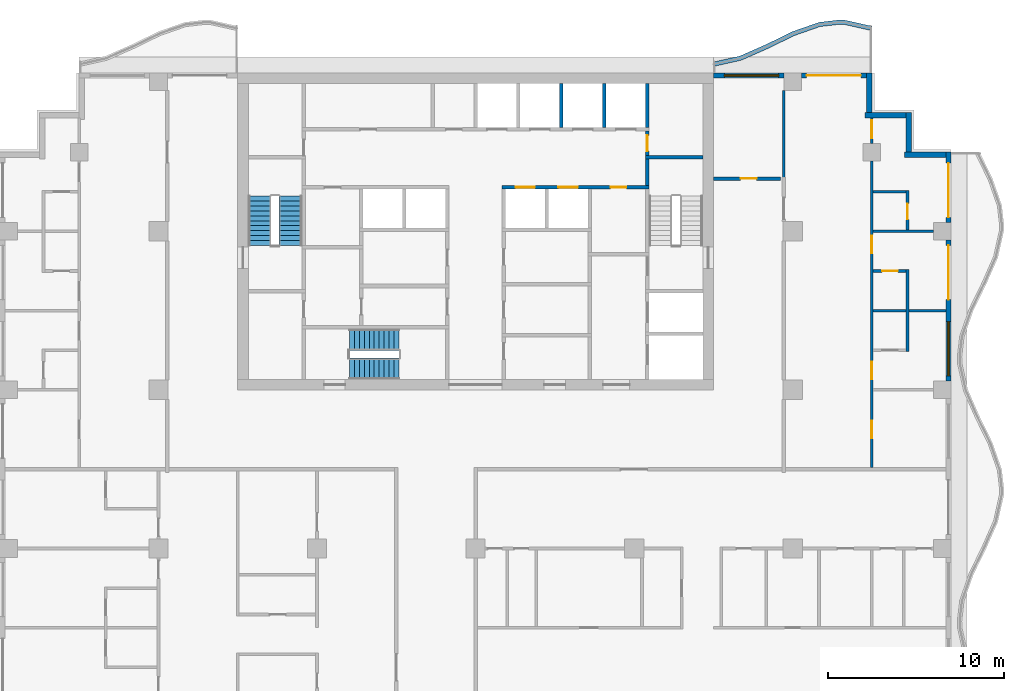
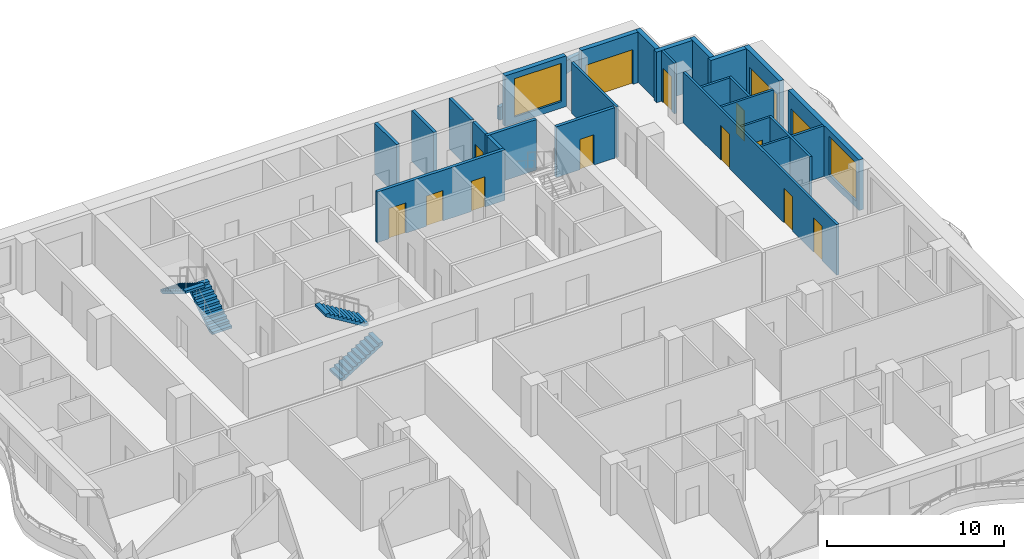
# One storey, part 7 of 12: 27 walls, 14 doors, 4 stair flights, 2 windows, 16 openings, 2 elements without a shape of their own.
"""IFC4 building model written with IfcOpenShell, lengths in metres."""

from ifc_helpers import new_model, si_unit, direction, frame, frame_2d, origin, place, context, subcontext, project, spatial, polyline, rectangle, outline, extrude, material, layer, layer_set, type_object, element, fill, aggregate, save


model = new_model("IFC4")

# Units and contexts
model_context = context("Model", 3, precision=1e-05, world=origin(), true_north=direction((0.0, 1.0)))
body_context = subcontext(model_context, "Body", "Model", "MODEL_VIEW")
ifc_project = project(units=[si_unit("LENGTHUNIT", "METRE"), si_unit("AREAUNIT", "SQUARE_METRE"), si_unit("VOLUMEUNIT", "CUBIC_METRE"), si_unit("PLANEANGLEUNIT", "RADIAN"), si_unit("MASSUNIT", "GRAM", prefix="KILO")], contexts=[model_context])

# Site, building, storey
site_placement = place(None, origin())
site = spatial("IfcSite", under=ifc_project, at=site_placement, CompositionType="ELEMENT")
building_placement = place(site_placement, origin())
building = spatial("IfcBuilding", under=site, at=building_placement, Name="Orbiselva Terraces", CompositionType="ELEMENT")
storey_placement = place(building_placement, frame((0.0, 0.0, 214.8)))
storey = spatial("IfcBuildingStorey", under=building, at=storey_placement, Name="L54", CompositionType="ELEMENT", Elevation=214.8)

# Wall, opening, door
ifc_material_1 = material(Name="Masonry blockwork", Category="masonry")
ifc_layer_1 = layer(ifc_material_1, 0.2)
ifc_layer_set_1 = layer_set([ifc_layer_1], Name="Masonry blockwork")
wall_type_1 = type_object("IfcWallType", Name="CORE-WALL-PARTITION-200", PredefinedType="PARTITIONING", material=ifc_layer_set_1)
wall_1_placement = place(storey_placement, frame((9.75, 19.2, 0.0), z_axis=(0.0, 0.0, 1.0), x_axis=(0.0, -1.0, 0.0)))
wall_1 = element("IfcWall", 1, at=wall_1_placement, inside=storey, type_object=wall_type_1, Name="L54 core wall 53", PredefinedType="PARTITIONING", context=body_context, shape_type="SweptSolid", body=[
    extrude(rectangle(XDim=1.4, YDim=0.2, at=frame_2d((0.7, 0.0))), origin(), (0.0, 0.0, 1.0), 3.5),
])
opening_1_placement = place(wall_1_placement, frame((0.25, 0.0, 0.0)))
opening_1 = element("IfcOpeningElement", 2, at=opening_1_placement, cuts=wall_1, Name="Opening DR900", PredefinedType="OPENING", context=body_context, shape_type="SweptSolid", body=[
    extrude(rectangle(XDim=0.9, YDim=2.1, at=frame_2d((0.45, 1.05))), frame((0.0, 0.11, 0.0), z_axis=(0.0, -1.0, 0.0), x_axis=(1.0, 0.0, 0.0)), (0.0, 0.0, 1.0), 0.22),
])
ifc_material_2 = material(Name="Steel fire door", Category="steel")
door_type_1 = type_object("IfcDoorType", Name="ROOM DOOR 900", OperationType="NOTDEFINED", PredefinedType="DOOR", material=ifc_material_2)
door_1_placement = place(opening_1_placement, origin())
door_1 = element("IfcDoor", 3, at=door_1_placement, inside=storey, type_object=door_type_1, Name="L54 ELECTRICAL RISER ROOM door", OperationType="SINGLE_SWING_RIGHT", OverallHeight=2.1, OverallWidth=0.9, PredefinedType="DOOR", context=body_context, shape_type="SweptSolid", body=[
    extrude(rectangle(XDim=0.9, YDim=2.1, at=frame_2d((0.45, 1.05))), frame((0.0, 0.025, 0.0), z_axis=(0.0, -1.0, 0.0), x_axis=(1.0, 0.0, 0.0)), (0.0, 0.0, 1.0), 0.05),
])
fill(opening_1, door_1)

# Walls
ifc_material_3 = material(Name="Concrete C40/50", Category="concrete")
ifc_layer_2 = layer(ifc_material_3, 0.2)
ifc_layer_set_2 = layer_set([ifc_layer_2], Name="Concrete C40/50")
wall_type_2 = type_object("IfcWallType", Name="CORE-WALL-SHAFT-200", PredefinedType="PARTITIONING", material=ifc_layer_set_2)
for number, where, z_axis, x_axis, name in (
    (4, (4.875, 19.4, 0.0), (0.0, 0.0, 1.0), (0.0, 1.0, 0.0), "L54 core wall 37"),
    (5, (7.3125, 19.4, 0.0), (0.0, 0.0, 1.0), (0.0, 1.0, 0.0), "L54 core wall 44"),
    (6, (9.75, 19.4, 0.0), (0.0, 0.0, 1.0), (0.0, 1.0, 0.0), "L54 core wall 54"),
):
    element("IfcWall", number, at=place(storey_placement, frame(where, z_axis=z_axis, x_axis=x_axis)), inside=storey, type_object=wall_type_2, Name=name, PredefinedType="PARTITIONING", context=body_context, shape_type="SweptSolid", body=[
        extrude(rectangle(XDim=2.5, YDim=0.2, at=frame_2d((1.25, 0.0))), origin(), (0.0, 0.0, 1.0), 3.5),
    ])

# Wall, openings, doors
ifc_material_4 = material(Name="Concrete C60/75", Category="concrete")
ifc_layer_3 = layer(ifc_material_4, 0.2)
ifc_layer_set_3 = layer_set([ifc_layer_3], Name="Concrete C60/75")
wall_type_3 = type_object("IfcWallType", Name="CORE-WALL-SHEAR-200", PredefinedType="SHEAR", material=ifc_layer_set_3)
wall_2_placement = place(storey_placement, frame((9.85, 16.0, 0.0), z_axis=(0.0, 0.0, 1.0), x_axis=(-1.0, 0.0, 0.0)))
wall_2 = element("IfcWall", 7, at=wall_2_placement, inside=storey, type_object=wall_type_3, Name="L54 core wall 34", PredefinedType="SHEAR", context=body_context, shape_type="SweptSolid", body=[
    extrude(rectangle(XDim=8.35, YDim=0.2, at=frame_2d((4.175, 0.0))), origin(), (0.0, 0.0, 1.0), 3.5),
])
opening_2_placement = place(wall_2_placement, frame((6.48125, 0.0, 0.0)))
opening_2 = element("IfcOpeningElement", 8, at=opening_2_placement, cuts=wall_2, Name="Opening LD-HR5", PredefinedType="OPENING", context=body_context, shape_type="SweptSolid", body=[
    extrude(rectangle(XDim=1.1, YDim=2.1, at=frame_2d((0.55, 1.05))), frame((0.0, 0.11, 0.0), z_axis=(0.0, -1.0, 0.0), x_axis=(1.0, 0.0, 0.0)), (0.0, 0.0, 1.0), 0.22),
])
opening_3_placement = place(wall_2_placement, frame((4.04375, 0.0, 0.0)))
opening_3 = element("IfcOpeningElement", 9, at=opening_3_placement, cuts=wall_2, Name="Opening LD-HR6", PredefinedType="OPENING", context=body_context, shape_type="SweptSolid", body=[
    extrude(rectangle(XDim=1.1, YDim=2.1, at=frame_2d((0.55, 1.05))), frame((0.0, 0.11, 0.0), z_axis=(0.0, -1.0, 0.0), x_axis=(1.0, 0.0, 0.0)), (0.0, 0.0, 1.0), 0.22),
])
opening_4_placement = place(wall_2_placement, frame((1.2875, 0.0, 0.0)))
opening_4 = element("IfcOpeningElement", 10, at=opening_4_placement, cuts=wall_2, Name="Opening DR900", PredefinedType="OPENING", context=body_context, shape_type="SweptSolid", body=[
    extrude(rectangle(XDim=0.9, YDim=2.1, at=frame_2d((0.45, 1.05))), frame((0.0, 0.11, 0.0), z_axis=(0.0, -1.0, 0.0), x_axis=(1.0, 0.0, 0.0)), (0.0, 0.0, 1.0), 0.22),
])
ifc_material_5 = material(Name="Stainless steel landing door", Category="steel")
door_type_2 = type_object("IfcDoorType", Name="LANDING DOOR 1100", OperationType="SLIDING_TO_LEFT", PredefinedType="DOOR", material=ifc_material_5)
door_2_placement = place(opening_2_placement, origin())
door_2 = element("IfcDoor", 11, at=door_2_placement, inside=storey, type_object=door_type_2, Name="L54 landing door HR5", OperationType="SLIDING_TO_RIGHT", OverallHeight=2.1, OverallWidth=1.1, PredefinedType="DOOR", context=body_context, shape_type="SweptSolid", body=[
    extrude(rectangle(XDim=1.1, YDim=2.1, at=frame_2d((0.55, 1.05))), frame((0.0, 0.025, 0.0), z_axis=(0.0, -1.0, 0.0), x_axis=(1.0, 0.0, 0.0)), (0.0, 0.0, 1.0), 0.05),
])
fill(opening_2, door_2)
door_3_placement = place(opening_3_placement, origin())
door_3 = element("IfcDoor", 12, at=door_3_placement, inside=storey, type_object=door_type_2, Name="L54 landing door HR6", OperationType="SLIDING_TO_RIGHT", OverallHeight=2.1, OverallWidth=1.1, PredefinedType="DOOR", context=body_context, shape_type="SweptSolid", body=[
    extrude(rectangle(XDim=1.1, YDim=2.1, at=frame_2d((0.55, 1.05))), frame((0.0, 0.025, 0.0), z_axis=(0.0, -1.0, 0.0), x_axis=(1.0, 0.0, 0.0)), (0.0, 0.0, 1.0), 0.05),
])
fill(opening_3, door_3)
door_4_placement = place(opening_4_placement, origin())
door_4 = element("IfcDoor", 13, at=door_4_placement, inside=storey, type_object=door_type_1, Name="L54 PIPE RISER ROOM door", OperationType="SINGLE_SWING_LEFT", OverallHeight=2.1, OverallWidth=0.9, PredefinedType="DOOR", context=body_context, shape_type="SweptSolid", body=[
    extrude(rectangle(XDim=0.9, YDim=2.1, at=frame_2d((0.45, 1.05))), frame((0.0, 0.025, 0.0), z_axis=(0.0, -1.0, 0.0), x_axis=(1.0, 0.0, 0.0)), (0.0, 0.0, 1.0), 0.05),
])
fill(opening_4, door_4)

# Walls
wall_3_placement = place(storey_placement, frame((9.75, 16.1, 0.0), z_axis=(0.0, 0.0, 1.0), x_axis=(0.0, 1.0, 0.0)))
element("IfcWall", 14, at=wall_3_placement, inside=storey, type_object=wall_type_3, Name="L54 core wall 51", PredefinedType="SHEAR", context=body_context, shape_type="SweptSolid", body=[
    extrude(rectangle(XDim=1.5, YDim=0.2, at=frame_2d((0.75, 0.0))), origin(), (0.0, 0.0, 1.0), 3.5),
])
wall_4_placement = place(storey_placement, frame((9.65, 17.7, 0.0), z_axis=(0.0, 0.0, 1.0), x_axis=(1.0, 0.0, 0.0)))
element("IfcWall", 15, at=wall_4_placement, inside=storey, type_object=wall_type_3, Name="L54 core wall 52", PredefinedType="SHEAR", context=body_context, shape_type="SweptSolid", body=[
    extrude(rectangle(XDim=3.25, YDim=0.2, at=frame_2d((1.625, 0.0))), origin(), (0.0, 0.0, 1.0), 3.5),
])
ifc_layer_4 = layer(ifc_material_3, 0.25)
ifc_layer_set_4 = layer_set([ifc_layer_4], Name="Concrete C40/50")
wall_type_4 = type_object("IfcWallType", Name="ENV-PLANTER-250x900", PredefinedType="USERDEFINED", material=ifc_layer_set_4)
wall_5_placement = place(storey_placement, origin())
element("IfcWall", 16, at=wall_5_placement, inside=storey, type_object=wall_type_4, Name="Balcony planter L54 NE", ObjectType="PLANTER", PredefinedType="USERDEFINED", context=body_context, shape_type="SweptSolid", body=[
    extrude(outline(polyline([(22.5, 25.148528), (21.0, 25.485226), (20.625, 25.5), (19.5, 25.369208), (18.0, 24.844789), (16.5, 24.112279), (15.0, 23.451472), (13.5, 23.114774), (13.554754, 22.870844), (15.078508, 23.212874), (16.605286, 23.885477), (18.09644, 24.613667), (19.556371, 25.124078), (20.634572, 25.249429), (20.967435, 25.236315), (22.445246, 24.904598), (22.5, 25.148528)])), origin(), (0.0, 0.0, 1.0), 0.9),
])

# Wall, openings, door, window
ifc_material_6 = material(Name="Terracotta cladding on masonry backing", Category="masonry")
ifc_layer_5 = layer(ifc_material_6, 0.3)
ifc_layer_set_5 = layer_set([ifc_layer_5], Name="Terracotta cladding on masonry backing")
wall_type_5 = type_object("IfcWallType", Name="ENV-WALL-TERRACOTTA-300", PredefinedType="SOLIDWALL", material=ifc_layer_set_5)
wall_6_placement = place(storey_placement, frame((26.85, 13.0, 0.0), z_axis=(0.0, 0.0, 1.0), x_axis=(0.0, -1.0, 0.0)))
wall_6 = element("IfcWall", 17, at=wall_6_placement, inside=storey, type_object=wall_type_5, Name="Facade wall L54 E", PredefinedType="SOLIDWALL", context=body_context, shape_type="SweptSolid", body=[
    extrude(rectangle(XDim=8.0, YDim=0.3, at=frame_2d((4.0, 0.0))), origin(), (0.0, 0.0, 1.0), 3.5),
])
opening_5_placement = place(wall_6_placement, frame((4.625, 0.0, 0.45)))
opening_5 = element("IfcOpeningElement", 18, at=opening_5_placement, cuts=wall_6, Name="Opening WN15", PredefinedType="OPENING", context=body_context, shape_type="SweptSolid", body=[
    extrude(rectangle(XDim=3.075, YDim=2.65, at=frame_2d((1.5375, 1.325))), frame((0.0, 0.16, 0.0), z_axis=(0.0, -1.0, 0.0), x_axis=(1.0, 0.0, 0.0)), (0.0, 0.0, 1.0), 0.32),
])
opening_6_placement = place(wall_6_placement, frame((0.3, 0.0, 0.0)))
opening_6 = element("IfcOpeningElement", 19, at=opening_6_placement, cuts=wall_6, Name="Opening Z4-C-E21", PredefinedType="OPENING", context=body_context, shape_type="SweptSolid", body=[
    extrude(rectangle(XDim=3.075, YDim=2.4, at=frame_2d((1.5375, 1.2))), frame((0.0, 0.16, 0.0), z_axis=(0.0, -1.0, 0.0), x_axis=(1.0, 0.0, 0.0)), (0.0, 0.0, 1.0), 0.32),
])
ifc_material_7 = material(Name="Clear low-e glazing in aluminium frame", Category="aluminium")
door_type_3 = type_object("IfcDoorType", Name="BALCONY DOOR 3075 X 2400", OperationType="DOUBLE_DOOR_SLIDING", PredefinedType="DOOR", material=ifc_material_7)
door_5_placement = place(opening_6_placement, origin())
door_5 = element("IfcDoor", 20, at=door_5_placement, inside=storey, type_object=door_type_3, Name="Z4-C-E21", OperationType="SINGLE_SWING_LEFT", OverallHeight=2.4, OverallWidth=3.075, PredefinedType="DOOR", context=body_context, shape_type="SweptSolid", body=[
    extrude(rectangle(XDim=3.075, YDim=2.4, at=frame_2d((1.5375, 1.2))), frame((0.0, 0.025, 0.0), z_axis=(0.0, -1.0, 0.0), x_axis=(1.0, 0.0, 0.0)), (0.0, 0.0, 1.0), 0.05),
])
fill(opening_6, door_5)
window_type = type_object("IfcWindowType", Name="WINDOW 3075 X 2650 S450", PartitioningType="TRIPLE_PANEL_VERTICAL", PredefinedType="WINDOW", material=ifc_material_7)
window_1_placement = place(opening_5_placement, origin())
window_1 = element("IfcWindow", 21, at=window_1_placement, inside=storey, type_object=window_type, Name="Window L54 E", OverallHeight=2.65, OverallWidth=3.075, PartitioningType="SINGLE_PANEL", PredefinedType="WINDOW", context=body_context, shape_type="SweptSolid", body=[
    extrude(rectangle(XDim=3.075, YDim=2.65, at=frame_2d((1.5375, 1.325))), frame((0.0, 0.03, 0.0), z_axis=(0.0, -1.0, 0.0), x_axis=(1.0, 0.0, 0.0)), (0.0, 0.0, 1.0), 0.06),
])
fill(opening_5, window_1)

# Wall, opening, door
wall_7_placement = place(storey_placement, frame((26.85, 18.0, 0.0), z_axis=(0.0, 0.0, 1.0), x_axis=(0.0, -1.0, 0.0)))
wall_7 = element("IfcWall", 22, at=wall_7_placement, inside=storey, type_object=wall_type_5, Name="Facade wall L54 E", PredefinedType="SOLIDWALL", context=body_context, shape_type="SweptSolid", body=[
    extrude(rectangle(XDim=4.0, YDim=0.3, at=frame_2d((2.0, 0.0))), origin(), (0.0, 0.0, 1.0), 3.5),
])
opening_7_placement = place(wall_7_placement, frame((0.625, 0.0, 0.0)))
opening_7 = element("IfcOpeningElement", 23, at=opening_7_placement, cuts=wall_7, Name="Opening Z4-C-E07", PredefinedType="OPENING", context=body_context, shape_type="SweptSolid", body=[
    extrude(rectangle(XDim=3.075, YDim=2.4, at=frame_2d((1.5375, 1.2))), frame((0.0, 0.16, 0.0), z_axis=(0.0, -1.0, 0.0), x_axis=(1.0, 0.0, 0.0)), (0.0, 0.0, 1.0), 0.32),
])
door_6_placement = place(opening_7_placement, origin())
door_6 = element("IfcDoor", 24, at=door_6_placement, inside=storey, type_object=door_type_3, Name="Z4-C-E07", OperationType="SINGLE_SWING_LEFT", OverallHeight=2.4, OverallWidth=3.075, PredefinedType="DOOR", context=body_context, shape_type="SweptSolid", body=[
    extrude(rectangle(XDim=3.075, YDim=2.4, at=frame_2d((1.5375, 1.2))), frame((0.0, 0.025, 0.0), z_axis=(0.0, -1.0, 0.0), x_axis=(1.0, 0.0, 0.0)), (0.0, 0.0, 1.0), 0.05),
])
fill(opening_7, door_6)

# Walls
wall_8_placement = place(storey_placement, frame((24.35, 17.85, 0.0), z_axis=(0.0, 0.0, 1.0), x_axis=(1.0, 0.0, 0.0)))
element("IfcWall", 25, at=wall_8_placement, inside=storey, type_object=wall_type_5, Name="Facade wall L54 STEP", PredefinedType="SOLIDWALL", context=body_context, shape_type="SweptSolid", body=[
    extrude(rectangle(XDim=2.35, YDim=0.3, at=frame_2d((1.175, 0.0))), origin(), (0.0, 0.0, 1.0), 3.5),
])
wall_9_placement = place(storey_placement, frame((24.6, 20.25, 0.0), z_axis=(0.0, 0.0, 1.0), x_axis=(0.0, -1.0, 0.0)))
element("IfcWall", 26, at=wall_9_placement, inside=storey, type_object=wall_type_5, Name="Facade wall L54 STEP", PredefinedType="SOLIDWALL", context=body_context, shape_type="SweptSolid", body=[
    extrude(rectangle(XDim=2.25, YDim=0.3, at=frame_2d((1.125, 0.0))), origin(), (0.0, 0.0, 1.0), 3.5),
])
wall_10_placement = place(storey_placement, frame((22.1, 20.1, 0.0), z_axis=(0.0, 0.0, 1.0), x_axis=(1.0, 0.0, 0.0)))
element("IfcWall", 27, at=wall_10_placement, inside=storey, type_object=wall_type_5, Name="Facade wall L54 STEP", PredefinedType="SOLIDWALL", context=body_context, shape_type="SweptSolid", body=[
    extrude(rectangle(XDim=2.35, YDim=0.3, at=frame_2d((1.175, 0.0))), origin(), (0.0, 0.0, 1.0), 3.5),
])
wall_11_placement = place(storey_placement, frame((22.35, 22.5, 0.0), z_axis=(0.0, 0.0, 1.0), x_axis=(0.0, -1.0, 0.0)))
element("IfcWall", 28, at=wall_11_placement, inside=storey, type_object=wall_type_5, Name="Facade wall L54 STEP", PredefinedType="SOLIDWALL", context=body_context, shape_type="SweptSolid", body=[
    extrude(rectangle(XDim=2.25, YDim=0.3, at=frame_2d((1.125, 0.0))), origin(), (0.0, 0.0, 1.0), 3.5),
])

# Wall, opening, door
wall_12_placement = place(storey_placement, frame((18.5, 22.35, 0.0), z_axis=(0.0, 0.0, 1.0), x_axis=(1.0, 0.0, 0.0)))
wall_12 = element("IfcWall", 29, at=wall_12_placement, inside=storey, type_object=wall_type_5, Name="Facade wall L54 NE", PredefinedType="SOLIDWALL", context=body_context, shape_type="SweptSolid", body=[
    extrude(rectangle(XDim=3.7, YDim=0.3, at=frame_2d((1.85, 0.0))), origin(), (0.0, 0.0, 1.0), 3.5),
])
opening_8_placement = place(wall_12_placement, frame((0.3, 0.0, 0.0)))
opening_8 = element("IfcOpeningElement", 30, at=opening_8_placement, cuts=wall_12, Name="Opening Z4-C-E15", PredefinedType="OPENING", context=body_context, shape_type="SweptSolid", body=[
    extrude(rectangle(XDim=3.075, YDim=2.4, at=frame_2d((1.5375, 1.2))), frame((0.0, 0.16, 0.0), z_axis=(0.0, -1.0, 0.0), x_axis=(1.0, 0.0, 0.0)), (0.0, 0.0, 1.0), 0.32),
])
door_7_placement = place(opening_8_placement, origin())
door_7 = element("IfcDoor", 31, at=door_7_placement, inside=storey, type_object=door_type_3, Name="Z4-C-E15", OperationType="SINGLE_SWING_LEFT", OverallHeight=2.4, OverallWidth=3.075, PredefinedType="DOOR", context=body_context, shape_type="SweptSolid", body=[
    extrude(rectangle(XDim=3.075, YDim=2.4, at=frame_2d((1.5375, 1.2))), frame((0.0, 0.025, 0.0), z_axis=(0.0, -1.0, 0.0), x_axis=(1.0, 0.0, 0.0)), (0.0, 0.0, 1.0), 0.05),
])
fill(opening_8, door_7)

# Wall, opening, window
wall_13_placement = place(storey_placement, frame((13.5, 22.35, 0.0), z_axis=(0.0, 0.0, 1.0), x_axis=(1.0, 0.0, 0.0)))
wall_13 = element("IfcWall", 32, at=wall_13_placement, inside=storey, type_object=wall_type_5, Name="Facade wall L54 NE", PredefinedType="SOLIDWALL", context=body_context, shape_type="SweptSolid", body=[
    extrude(rectangle(XDim=4.0, YDim=0.3, at=frame_2d((2.0, 0.0))), origin(), (0.0, 0.0, 1.0), 3.5),
])
opening_9_placement = place(wall_13_placement, frame((0.625, 0.0, 0.45)))
opening_9 = element("IfcOpeningElement", 33, at=opening_9_placement, cuts=wall_13, Name="Opening WN15", PredefinedType="OPENING", context=body_context, shape_type="SweptSolid", body=[
    extrude(rectangle(XDim=3.075, YDim=2.65, at=frame_2d((1.5375, 1.325))), frame((0.0, 0.16, 0.0), z_axis=(0.0, -1.0, 0.0), x_axis=(1.0, 0.0, 0.0)), (0.0, 0.0, 1.0), 0.32),
])
window_2_placement = place(opening_9_placement, origin())
window_2 = element("IfcWindow", 34, at=window_2_placement, inside=storey, type_object=window_type, Name="Window L54 NE", OverallHeight=2.65, OverallWidth=3.075, PartitioningType="SINGLE_PANEL", PredefinedType="WINDOW", context=body_context, shape_type="SweptSolid", body=[
    extrude(rectangle(XDim=3.075, YDim=2.65, at=frame_2d((1.5375, 1.325))), frame((0.0, 0.03, 0.0), z_axis=(0.0, -1.0, 0.0), x_axis=(1.0, 0.0, 0.0)), (0.0, 0.0, 1.0), 0.06),
])
fill(opening_9, window_2)

# Wall, opening, door
ifc_material_8 = material(Name="Plasterboard on steel stud partition", Category="steel")
ifc_layer_6 = layer(ifc_material_8, 0.2)
ifc_layer_set_6 = layer_set([ifc_layer_6], Name="Plasterboard on steel stud partition")
wall_type_6 = type_object("IfcWallType", Name="UNIT-ENTRANCE-WALL-200", PredefinedType="PARTITIONING", material=ifc_layer_set_6)
wall_14_placement = place(storey_placement, frame((13.5, 16.5, 0.0), z_axis=(0.0, 0.0, 1.0), x_axis=(1.0, 0.0, 0.0)))
wall_14 = element("IfcWall", 35, at=wall_14_placement, inside=storey, type_object=wall_type_6, Name="PARTITION L54-048", PredefinedType="PARTITIONING", context=body_context, shape_type="SweptSolid", body=[
    extrude(rectangle(XDim=3.825, YDim=0.2, at=frame_2d((1.9125, 0.0))), origin(), (0.0, 0.0, 1.0), 3.5),
])
opening_10_placement = place(wall_14_placement, frame((1.55, 0.0, 0.0)))
opening_10 = element("IfcOpeningElement", 36, at=opening_10_placement, cuts=wall_14, Name="Opening Z4-C-01", PredefinedType="OPENING", context=body_context, shape_type="SweptSolid", body=[
    extrude(rectangle(XDim=0.9, YDim=2.1, at=frame_2d((0.45, 1.05))), frame((0.0, 0.11, 0.0), z_axis=(0.0, -1.0, 0.0), x_axis=(1.0, 0.0, 0.0)), (0.0, 0.0, 1.0), 0.22),
])
ifc_material_9 = material(Name="Painted timber door leaf", Category="wood")
door_type_4 = type_object("IfcDoorType", Name="SERVICE DOOR 900", OperationType="NOTDEFINED", PredefinedType="DOOR", material=ifc_material_9)
door_8_placement = place(opening_10_placement, origin())
door_8 = element("IfcDoor", 37, at=door_8_placement, inside=storey, type_object=door_type_4, Name="Z4-C-01", OperationType="SINGLE_SWING_RIGHT", OverallHeight=2.1, OverallWidth=0.9, PredefinedType="DOOR", context=body_context, shape_type="SweptSolid", body=[
    extrude(rectangle(XDim=0.9, YDim=2.1, at=frame_2d((0.45, 1.05))), frame((0.0, 0.025, 0.0), z_axis=(0.0, -1.0, 0.0), x_axis=(1.0, 0.0, 0.0)), (0.0, 0.0, 1.0), 0.05),
])
fill(opening_10, door_8)

# Walls
ifc_layer_7 = layer(ifc_material_8, 0.15)
ifc_layer_set_7 = layer_set([ifc_layer_7], Name="Plasterboard on steel stud partition")
wall_type_7 = type_object("IfcWallType", Name="UNIT-PARTITION-150", PredefinedType="PARTITIONING", material=ifc_layer_set_7)
wall_15_placement = place(storey_placement, frame((22.575, 9.0, 0.0), z_axis=(0.0, 0.0, 1.0), x_axis=(1.0, 0.0, 0.0)))
element("IfcWall", 38, at=wall_15_placement, inside=storey, type_object=wall_type_7, Name="PARTITION L54-039", PredefinedType="PARTITIONING", context=body_context, shape_type="SweptSolid", body=[
    extrude(rectangle(XDim=1.875, YDim=0.15, at=frame_2d((0.9375, 0.0))), origin(), (0.0, 0.0, 1.0), 3.5),
])
wall_16_placement = place(storey_placement, frame((24.6, 9.0, 0.0), z_axis=(0.0, 0.0, 1.0), x_axis=(1.0, 0.0, 0.0)))
element("IfcWall", 39, at=wall_16_placement, inside=storey, type_object=wall_type_7, Name="PARTITION L54-040", PredefinedType="PARTITIONING", context=body_context, shape_type="SweptSolid", body=[
    extrude(rectangle(XDim=2.1, YDim=0.15, at=frame_2d((1.05, 0.0))), origin(), (0.0, 0.0, 1.0), 3.5),
])

# Wall, opening, door
wall_17_placement = place(storey_placement, frame((24.45, 11.25, 0.0), z_axis=(0.0, 0.0, 1.0), x_axis=(-1.0, 0.0, 0.0)))
wall_17 = element("IfcWall", 40, at=wall_17_placement, inside=storey, type_object=wall_type_7, Name="PARTITION L54-042", PredefinedType="PARTITIONING", context=body_context, shape_type="SweptSolid", body=[
    extrude(rectangle(XDim=1.875, YDim=0.15, at=frame_2d((0.9375, 0.0))), origin(), (0.0, 0.0, 1.0), 3.5),
])
opening_11_placement = place(wall_17_placement, frame((0.475, 0.0, 0.0)))
opening_11 = element("IfcOpeningElement", 41, at=opening_11_placement, cuts=wall_17, Name="Opening Z4-C-15", PredefinedType="OPENING", context=body_context, shape_type="SweptSolid", body=[
    extrude(rectangle(XDim=0.9, YDim=2.1, at=frame_2d((0.45, 1.05))), frame((0.0, 0.085, 0.0), z_axis=(0.0, -1.0, 0.0), x_axis=(1.0, 0.0, 0.0)), (0.0, 0.0, 1.0), 0.17),
])
door_type_5 = type_object("IfcDoorType", Name="BATH DOOR 900", OperationType="NOTDEFINED", PredefinedType="DOOR", material=ifc_material_9)
door_9_placement = place(opening_11_placement, origin())
door_9 = element("IfcDoor", 42, at=door_9_placement, inside=storey, type_object=door_type_5, Name="Z4-C-15", OperationType="SINGLE_SWING_LEFT", OverallHeight=2.1, OverallWidth=0.9, PredefinedType="DOOR", context=body_context, shape_type="SweptSolid", body=[
    extrude(rectangle(XDim=0.9, YDim=2.1, at=frame_2d((0.45, 1.05))), frame((0.0, 0.025, 0.0), z_axis=(0.0, -1.0, 0.0), x_axis=(1.0, 0.0, 0.0)), (0.0, 0.0, 1.0), 0.05),
])
fill(opening_11, door_9)

# Walls
wall_18_placement = place(storey_placement, frame((22.575, 13.5, 0.0), z_axis=(0.0, 0.0, 1.0), x_axis=(1.0, 0.0, 0.0)))
element("IfcWall", 43, at=wall_18_placement, inside=storey, type_object=wall_type_7, Name="PARTITION L54-045", PredefinedType="PARTITIONING", context=body_context, shape_type="SweptSolid", body=[
    extrude(rectangle(XDim=3.425, YDim=0.15, at=frame_2d((1.7125, 0.0))), origin(), (0.0, 0.0, 1.0), 3.5),
])
wall_19_placement = place(storey_placement, frame((22.575, 15.75, 0.0), z_axis=(0.0, 0.0, 1.0), x_axis=(1.0, 0.0, 0.0)))
element("IfcWall", 44, at=wall_19_placement, inside=storey, type_object=wall_type_7, Name="PARTITION L54-047", PredefinedType="PARTITIONING", context=body_context, shape_type="SweptSolid", body=[
    extrude(rectangle(XDim=1.875, YDim=0.15, at=frame_2d((0.9375, 0.0))), origin(), (0.0, 0.0, 1.0), 3.5),
])
wall_20_placement = place(storey_placement, frame((17.5, 16.4, 0.0), z_axis=(0.0, 0.0, 1.0), x_axis=(0.0, 1.0, 0.0)))
element("IfcWall", 45, at=wall_20_placement, inside=storey, type_object=wall_type_7, Name="PARTITION L54-088", PredefinedType="PARTITIONING", context=body_context, shape_type="SweptSolid", body=[
    extrude(rectangle(XDim=5.1, YDim=0.15, at=frame_2d((2.55, 0.0))), origin(), (0.0, 0.0, 1.0), 3.5),
])

# Wall, openings, doors
wall_21_placement = place(storey_placement, frame((22.5, 17.5, 0.0), z_axis=(0.0, 0.0, 1.0), x_axis=(0.0, -1.0, 0.0)))
wall_21 = element("IfcWall", 46, at=wall_21_placement, inside=storey, type_object=wall_type_7, Name="PARTITION L54-093", PredefinedType="PARTITIONING", context=body_context, shape_type="SweptSolid", body=[
    extrude(rectangle(XDim=17.4, YDim=0.15, at=frame_2d((8.7, 0.0))), origin(), (0.0, 0.0, 1.0), 3.5),
])
opening_12_placement = place(wall_21_placement, frame((14.75, 0.0, 0.0)))
opening_12 = element("IfcOpeningElement", 47, at=opening_12_placement, cuts=wall_21, Name="Opening Z4-C-11", PredefinedType="OPENING", context=body_context, shape_type="SweptSolid", body=[
    extrude(rectangle(XDim=1.0, YDim=2.4, at=frame_2d((0.5, 1.2))), frame((0.0, 0.085, 0.0), z_axis=(0.0, -1.0, 0.0), x_axis=(1.0, 0.0, 0.0)), (0.0, 0.0, 1.0), 0.17),
])
opening_13_placement = place(wall_21_placement, frame((11.4, 0.0, 0.0)))
opening_13 = element("IfcOpeningElement", 48, at=opening_13_placement, cuts=wall_21, Name="Opening Z4-C-12", PredefinedType="OPENING", context=body_context, shape_type="SweptSolid", body=[
    extrude(rectangle(XDim=1.0, YDim=2.4, at=frame_2d((0.5, 1.2))), frame((0.0, 0.085, 0.0), z_axis=(0.0, -1.0, 0.0), x_axis=(1.0, 0.0, 0.0)), (0.0, 0.0, 1.0), 0.17),
])
opening_14_placement = place(wall_21_placement, frame((4.25, 0.0, 0.0)))
opening_14 = element("IfcOpeningElement", 49, at=opening_14_placement, cuts=wall_21, Name="Opening Z4-C-14", PredefinedType="OPENING", context=body_context, shape_type="SweptSolid", body=[
    extrude(rectangle(XDim=1.0, YDim=2.4, at=frame_2d((0.5, 1.2))), frame((0.0, 0.085, 0.0), z_axis=(0.0, -1.0, 0.0), x_axis=(1.0, 0.0, 0.0)), (0.0, 0.0, 1.0), 0.17),
])
door_type_6 = type_object("IfcDoorType", Name="ROOM DOOR 1000", OperationType="NOTDEFINED", PredefinedType="DOOR", material=ifc_material_9)
door_10_placement = place(opening_12_placement, origin())
door_10 = element("IfcDoor", 50, at=door_10_placement, inside=storey, type_object=door_type_6, Name="Z4-C-11", OperationType="SINGLE_SWING_RIGHT", OverallHeight=2.4, OverallWidth=1.0, PredefinedType="DOOR", context=body_context, shape_type="SweptSolid", body=[
    extrude(rectangle(XDim=1.0, YDim=2.4, at=frame_2d((0.5, 1.2))), frame((0.0, 0.025, 0.0), z_axis=(0.0, -1.0, 0.0), x_axis=(1.0, 0.0, 0.0)), (0.0, 0.0, 1.0), 0.05),
])
fill(opening_12, door_10)
door_11_placement = place(opening_13_placement, origin())
door_11 = element("IfcDoor", 51, at=door_11_placement, inside=storey, type_object=door_type_6, Name="Z4-C-12", OperationType="SINGLE_SWING_RIGHT", OverallHeight=2.4, OverallWidth=1.0, PredefinedType="DOOR", context=body_context, shape_type="SweptSolid", body=[
    extrude(rectangle(XDim=1.0, YDim=2.4, at=frame_2d((0.5, 1.2))), frame((0.0, 0.025, 0.0), z_axis=(0.0, -1.0, 0.0), x_axis=(1.0, 0.0, 0.0)), (0.0, 0.0, 1.0), 0.05),
])
fill(opening_13, door_11)
door_12_placement = place(opening_14_placement, origin())
door_12 = element("IfcDoor", 52, at=door_12_placement, inside=storey, type_object=door_type_6, Name="Z4-C-14", OperationType="SINGLE_SWING_LEFT", OverallHeight=2.4, OverallWidth=1.0, PredefinedType="DOOR", context=body_context, shape_type="SweptSolid", body=[
    extrude(rectangle(XDim=1.0, YDim=2.4, at=frame_2d((0.5, 1.2))), frame((0.0, 0.025, 0.0), z_axis=(0.0, -1.0, 0.0), x_axis=(1.0, 0.0, 0.0)), (0.0, 0.0, 1.0), 0.05),
])
fill(opening_14, door_12)

# Wall, opening, door
wall_22_placement = place(storey_placement, frame((22.5, 19.95, 0.0), z_axis=(0.0, 0.0, 1.0), x_axis=(0.0, -1.0, 0.0)))
wall_22 = element("IfcWall", 53, at=wall_22_placement, inside=storey, type_object=wall_type_7, Name="PARTITION L54-094", PredefinedType="PARTITIONING", context=body_context, shape_type="SweptSolid", body=[
    extrude(rectangle(XDim=1.45, YDim=0.15, at=frame_2d((0.725, 0.0))), origin(), (0.0, 0.0, 1.0), 3.5),
])
opening_15_placement = place(wall_22_placement, frame((0.15, 0.0, 0.0)))
opening_15 = element("IfcOpeningElement", 54, at=opening_15_placement, cuts=wall_22, Name="Opening Z4-C-16", PredefinedType="OPENING", context=body_context, shape_type="SweptSolid", body=[
    extrude(rectangle(XDim=1.0, YDim=2.4, at=frame_2d((0.5, 1.2))), frame((0.0, 0.085, 0.0), z_axis=(0.0, -1.0, 0.0), x_axis=(1.0, 0.0, 0.0)), (0.0, 0.0, 1.0), 0.17),
])
door_13_placement = place(opening_15_placement, origin())
door_13 = element("IfcDoor", 55, at=door_13_placement, inside=storey, type_object=door_type_6, Name="Z4-C-16", OperationType="SINGLE_SWING_LEFT", OverallHeight=2.4, OverallWidth=1.0, PredefinedType="DOOR", context=body_context, shape_type="SweptSolid", body=[
    extrude(rectangle(XDim=1.0, YDim=2.4, at=frame_2d((0.5, 1.2))), frame((0.0, 0.025, 0.0), z_axis=(0.0, -1.0, 0.0), x_axis=(1.0, 0.0, 0.0)), (0.0, 0.0, 1.0), 0.05),
])
fill(opening_15, door_13)

# Wall
wall_23_placement = place(storey_placement, frame((24.525, 6.675, 0.0), z_axis=(0.0, 0.0, 1.0), x_axis=(0.0, 1.0, 0.0)))
element("IfcWall", 56, at=wall_23_placement, inside=storey, type_object=wall_type_7, Name="PARTITION L54-096", PredefinedType="PARTITIONING", context=body_context, shape_type="SweptSolid", body=[
    extrude(rectangle(XDim=4.65, YDim=0.15, at=frame_2d((2.325, 0.0))), origin(), (0.0, 0.0, 1.0), 3.5),
])

# Wall, opening, door
wall_24_placement = place(storey_placement, frame((24.525, 13.575, 0.0), z_axis=(0.0, 0.0, 1.0), x_axis=(0.0, 1.0, 0.0)))
wall_24 = element("IfcWall", 57, at=wall_24_placement, inside=storey, type_object=wall_type_7, Name="PARTITION L54-097", PredefinedType="PARTITIONING", context=body_context, shape_type="SweptSolid", body=[
    extrude(rectangle(XDim=2.25, YDim=0.15, at=frame_2d((1.125, 0.0))), origin(), (0.0, 0.0, 1.0), 3.5),
])
opening_16_placement = place(wall_24_placement, frame((0.6, 0.0, 0.0)))
opening_16 = element("IfcOpeningElement", 58, at=opening_16_placement, cuts=wall_24, Name="Opening Z4-C-17", PredefinedType="OPENING", context=body_context, shape_type="SweptSolid", body=[
    extrude(rectangle(XDim=0.9, YDim=2.1, at=frame_2d((0.45, 1.05))), frame((0.0, 0.085, 0.0), z_axis=(0.0, -1.0, 0.0), x_axis=(1.0, 0.0, 0.0)), (0.0, 0.0, 1.0), 0.17),
])
door_14_placement = place(opening_16_placement, origin())
door_14 = element("IfcDoor", 59, at=door_14_placement, inside=storey, type_object=door_type_5, Name="Z4-C-17", OperationType="SINGLE_SWING_LEFT", OverallHeight=2.1, OverallWidth=0.9, PredefinedType="DOOR", context=body_context, shape_type="SweptSolid", body=[
    extrude(rectangle(XDim=0.9, YDim=2.1, at=frame_2d((0.45, 1.05))), frame((0.0, 0.025, 0.0), z_axis=(0.0, -1.0, 0.0), x_axis=(1.0, 0.0, 0.0)), (0.0, 0.0, 1.0), 0.05),
])
fill(opening_16, door_14)

# Stair, stair flights
stair_type_1 = type_object("IfcStairType", Name="CORE-STAIR-1200", PredefinedType="HALF_TURN_STAIR", material=ifc_material_3)
stair_1_placement = place(storey_placement, origin())
stair_1 = element("IfcStair", 60, at=stair_1_placement, inside=storey, type_object=stair_type_1, Name="L54 Exit Stair S3", PredefinedType="HALF_TURN_STAIR")
stair_flight_type_1 = type_object("IfcStairFlightType", Name="CORE-STAIR-FLIGHT-1200", PredefinedType="STRAIGHT", material=ifc_material_3)
stair_flight_1_placement = place(storey_placement, frame((-7.15, 5.7, 0.0), z_axis=(0.0, 0.0, 1.0), x_axis=(1.0, 0.0, 0.0)))
stair_flight_1 = element("IfcStairFlight", 61, at=stair_flight_1_placement, type_object=stair_flight_type_1, Name="S3 flight 1", NumberOfRisers=11, NumberOfTreads=10, PredefinedType="STRAIGHT", RiserHeight=0.172727273, TreadLength=0.28, context=body_context, shape_type="SweptSolid", body=[
    extrude(outline(polyline([(0.0, 0.0), (0.0, 0.172727), (0.28, 0.172727), (0.28, 0.345455), (0.56, 0.345455), (0.56, 0.518182), (0.84, 0.518182), (0.84, 0.690909), (1.12, 0.690909), (1.12, 0.863636), (1.4, 0.863636), (1.4, 1.036364), (1.68, 1.036364), (1.68, 1.209091), (1.96, 1.209091), (1.96, 1.381818), (2.24, 1.381818), (2.24, 1.554545), (2.52, 1.554545), (2.52, 1.727273), (2.8, 1.727273), (2.8, 1.9), (2.8, 1.551028), (0.285702, 0.0), (0.0, 0.0)])), frame((0.0, 0.6, 0.0), z_axis=(0.0, -1.0, 0.0), x_axis=(1.0, 0.0, 0.0)), (0.0, 0.0, 1.0), 1.2),
])
stair_flight_2_placement = place(storey_placement, frame((-4.35, 7.35, 1.9), z_axis=(0.0, 0.0, 1.0), x_axis=(-1.0, 0.0, 0.0)))
stair_flight_2 = element("IfcStairFlight", 62, at=stair_flight_2_placement, type_object=stair_flight_type_1, Name="S3 flight 2", NumberOfRisers=11, NumberOfTreads=10, PredefinedType="STRAIGHT", RiserHeight=0.172727273, TreadLength=0.28, context=body_context, shape_type="SweptSolid", body=[
    extrude(outline(polyline([(0.0, 0.0), (0.0, 0.172727), (0.28, 0.172727), (0.28, 0.345455), (0.56, 0.345455), (0.56, 0.518182), (0.84, 0.518182), (0.84, 0.690909), (1.12, 0.690909), (1.12, 0.863636), (1.4, 0.863636), (1.4, 1.036364), (1.68, 1.036364), (1.68, 1.209091), (1.96, 1.209091), (1.96, 1.381818), (2.24, 1.381818), (2.24, 1.554545), (2.52, 1.554545), (2.52, 1.727273), (2.8, 1.727273), (2.8, 1.9), (2.8, 1.551028), (0.285702, 0.0), (0.0, 0.0)])), frame((0.0, 0.6, 0.0), z_axis=(0.0, -1.0, 0.0), x_axis=(1.0, 0.0, 0.0)), (0.0, 0.0, 1.0), 1.2),
])
aggregate(stair_1, [stair_flight_1, stair_flight_2])

stair_type_2 = type_object("IfcStairType", Name="CORE-STAIR-1300", PredefinedType="HALF_TURN_STAIR", material=ifc_material_3)
stair_2_placement = place(storey_placement, origin())
stair_2 = element("IfcStair", 63, at=stair_2_placement, inside=storey, type_object=stair_type_2, Name="L54 Exit Stair S1", PredefinedType="HALF_TURN_STAIR")
stair_flight_type_2 = type_object("IfcStairFlightType", Name="CORE-STAIR-FLIGHT-1300", PredefinedType="STRAIGHT", material=ifc_material_3)
stair_flight_3_placement = place(storey_placement, frame((-10.5, 12.7, 0.0), z_axis=(0.0, 0.0, 1.0), x_axis=(0.0, 1.0, 0.0)))
stair_flight_3 = element("IfcStairFlight", 64, at=stair_flight_3_placement, type_object=stair_flight_type_2, Name="S1 flight 1", NumberOfRisers=11, NumberOfTreads=10, PredefinedType="STRAIGHT", RiserHeight=0.172727273, TreadLength=0.28, context=body_context, shape_type="SweptSolid", body=[
    extrude(outline(polyline([(0.0, 0.0), (0.0, 0.172727), (0.28, 0.172727), (0.28, 0.345455), (0.56, 0.345455), (0.56, 0.518182), (0.84, 0.518182), (0.84, 0.690909), (1.12, 0.690909), (1.12, 0.863636), (1.4, 0.863636), (1.4, 1.036364), (1.68, 1.036364), (1.68, 1.209091), (1.96, 1.209091), (1.96, 1.381818), (2.24, 1.381818), (2.24, 1.554545), (2.52, 1.554545), (2.52, 1.727273), (2.8, 1.727273), (2.8, 1.9), (2.8, 1.551028), (0.285702, 0.0), (0.0, 0.0)])), frame((0.0, 0.65, 0.0), z_axis=(0.0, -1.0, 0.0), x_axis=(1.0, 0.0, 0.0)), (0.0, 0.0, 1.0), 1.3),
])
stair_flight_4_placement = place(storey_placement, frame((-12.25, 15.5, 1.9), z_axis=(0.0, 0.0, 1.0), x_axis=(0.0, -1.0, 0.0)))
stair_flight_4 = element("IfcStairFlight", 65, at=stair_flight_4_placement, type_object=stair_flight_type_2, Name="S1 flight 2", NumberOfRisers=11, NumberOfTreads=10, PredefinedType="STRAIGHT", RiserHeight=0.172727273, TreadLength=0.28, context=body_context, shape_type="SweptSolid", body=[
    extrude(outline(polyline([(0.0, 0.0), (0.0, 0.172727), (0.28, 0.172727), (0.28, 0.345455), (0.56, 0.345455), (0.56, 0.518182), (0.84, 0.518182), (0.84, 0.690909), (1.12, 0.690909), (1.12, 0.863636), (1.4, 0.863636), (1.4, 1.036364), (1.68, 1.036364), (1.68, 1.209091), (1.96, 1.209091), (1.96, 1.381818), (2.24, 1.381818), (2.24, 1.554545), (2.52, 1.554545), (2.52, 1.727273), (2.8, 1.727273), (2.8, 1.9), (2.8, 1.551028), (0.285702, 0.0), (0.0, 0.0)])), frame((0.0, 0.65, 0.0), z_axis=(0.0, -1.0, 0.0), x_axis=(1.0, 0.0, 0.0)), (0.0, 0.0, 1.0), 1.3),
])
aggregate(stair_2, [stair_flight_3, stair_flight_4])

save(model, "model.ifc")
